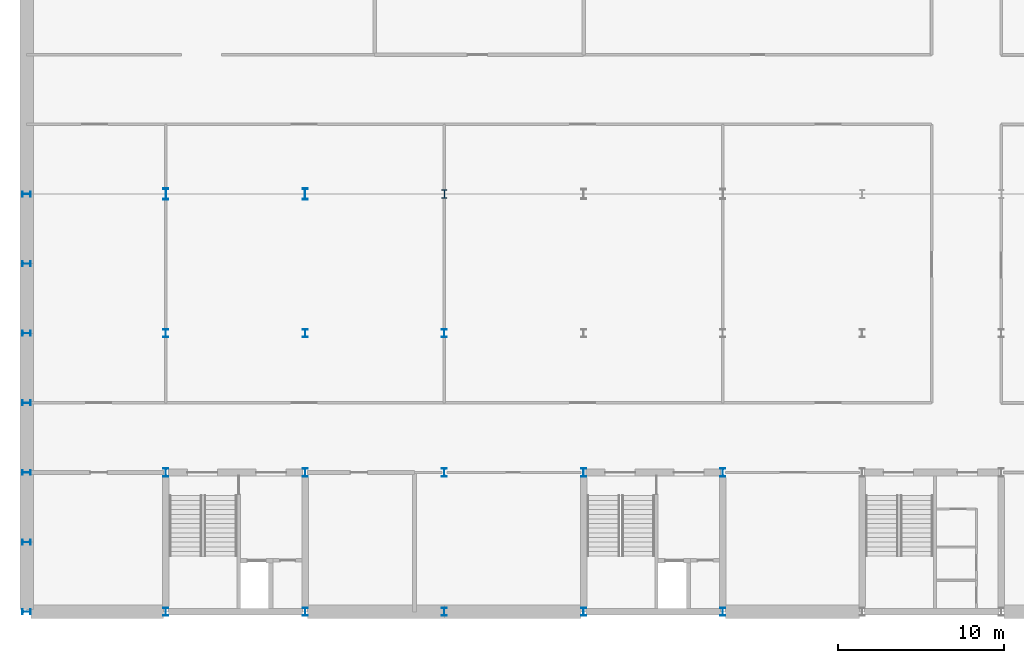
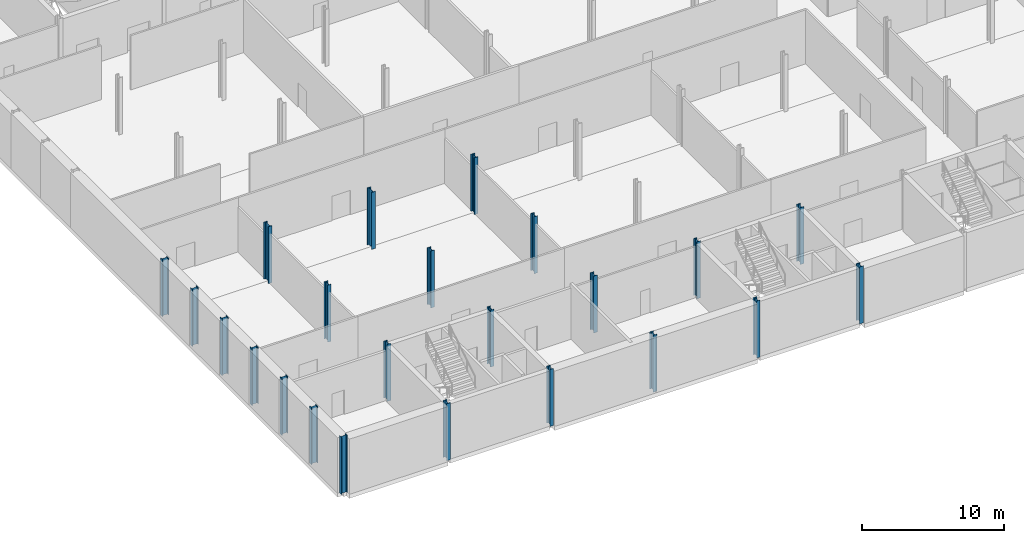
# One storey, part 1 of 20: 23 columns.
"""IFC4 building model written with IfcOpenShell, lengths in metres."""

from ifc_helpers import new_model, si_unit, direction, frame, origin, origin_2d, place, context, subcontext, project, spatial, i_section, extrude, material, material_profile, profile_set, type_object, element, save


model = new_model("IFC4")

# Units and contexts
model_context = context("Model", 3, precision=1e-05, world=origin(), true_north=direction((0.0, 1.0)))
body_context = subcontext(model_context, "Body", "Model", "MODEL_VIEW")
ifc_project = project(units=[si_unit("LENGTHUNIT", "METRE"), si_unit("AREAUNIT", "SQUARE_METRE"), si_unit("VOLUMEUNIT", "CUBIC_METRE"), si_unit("PLANEANGLEUNIT", "RADIAN"), si_unit("MASSUNIT", "GRAM", prefix="KILO")], contexts=[model_context])

# Site, building, storey
site_placement = place(None, origin())
site = spatial("IfcSite", under=ifc_project, at=site_placement, CompositionType="ELEMENT")
building_placement = place(site_placement, origin())
building = spatial("IfcBuilding", under=site, at=building_placement, Name="Galleria Vessillo Department Store", CompositionType="ELEMENT")
storey_placement = place(building_placement, frame((0.0, 0.0, -4.89990234375)))
storey = spatial("IfcBuildingStorey", under=building, at=storey_placement, Name="B1", CompositionType="ELEMENT", Elevation=-4.89990234375)

# Columns
ifc_material_1 = material(Name="Steel S355 J2", Category="steel")
ifc_material_profile_1 = material_profile(ifc_material_1, i_section(OverallWidth=0.300048828125, OverallDepth=0.5, WebThickness=0.014404296875, FlangeThickness=0.028076171875, FilletRadius=0.027099609375, at=origin_2d()), Name="HEB 500")
ifc_profile_set_1 = profile_set([ifc_material_profile_1], Name="Steel S355 J2")
column_type_1 = type_object("IfcColumnType", Name="Steel column HEB 500 CP1", PredefinedType="COLUMN", material=ifc_profile_set_1)
for number, where, z_axis, x_axis, name in (
    (1, (0.0, 0.0, 0.0), (0.0, 0.0, 1.0), (0.0, 1.0, 0.0), "S-COL-B1-1-A"),
    (2, (0.0, 4.199951171875, 0.0), (0.0, 0.0, 1.0), (0.0, 1.0, 0.0), "S-COL-B1-1-4.2"),
    (3, (0.0, 8.39990234375, 0.0), (0.0, 0.0, 1.0), (0.0, 1.0, 0.0), "S-COL-B1-1-B"),
    (4, (0.0, 12.60009765625, 0.0), (0.0, 0.0, 1.0), (0.0, 1.0, 0.0), "S-COL-B1-1-12.6"),
    (5, (0.0, 16.800048828125, 0.0), (0.0, 0.0, 1.0), (0.0, 1.0, 0.0), "S-COL-B1-1-C"),
    (6, (0.0, 21.0, 0.0), (0.0, 0.0, 1.0), (0.0, 1.0, 0.0), "S-COL-B1-1-21"),
    (7, (0.0, 25.199951171875, 0.0), (0.0, 0.0, 1.0), (0.0, 1.0, 0.0), "S-COL-B1-1-D"),
    (8, (8.39990234375, 0.0, 0.0), (0.0, 0.0, 1.0), (1.0, 0.0, 0.0), "S-COL-B1-2-A"),
    (9, (8.39990234375, 8.39990234375, 0.0), (0.0, 0.0, 1.0), (1.0, 0.0, 0.0), "S-COL-B1-2-B"),
    (10, (8.39990234375, 16.800048828125, 0.0), (0.0, 0.0, 1.0), (1.0, 0.0, 0.0), "S-COL-B1-2-C"),
    (11, (16.800048828125, 0.0, 0.0), (0.0, 0.0, 1.0), (1.0, 0.0, 0.0), "S-COL-B1-3-A"),
    (12, (16.800048828125, 8.39990234375, 0.0), (0.0, 0.0, 1.0), (1.0, 0.0, 0.0), "S-COL-B1-3-B"),
    (13, (16.800048828125, 16.800048828125, 0.0), (0.0, 0.0, 1.0), (1.0, 0.0, 0.0), "S-COL-B1-3-C"),
    (14, (25.199951171875, 0.0, 0.0), (0.0, 0.0, 1.0), (1.0, 0.0, 0.0), "S-COL-B1-4-A"),
    (15, (25.199951171875, 8.39990234375, 0.0), (0.0, 0.0, 1.0), (1.0, 0.0, 0.0), "S-COL-B1-4-B"),
    (16, (25.199951171875, 16.800048828125, 0.0), (0.0, 0.0, 1.0), (1.0, 0.0, 0.0), "S-COL-B1-4-C"),
    (17, (33.60009765625, 0.0, 0.0), (0.0, 0.0, 1.0), (1.0, 0.0, 0.0), "S-COL-B1-5-A"),
    (18, (33.60009765625, 8.39990234375, 0.0), (0.0, 0.0, 1.0), (1.0, 0.0, 0.0), "S-COL-B1-5-B"),
    (19, (42.0, 0.0, 0.0), (0.0, 0.0, 1.0), (1.0, 0.0, 0.0), "S-COL-B1-6-A"),
    (20, (42.0, 8.39990234375, 0.0), (0.0, 0.0, 1.0), (1.0, 0.0, 0.0), "S-COL-B1-6-B"),
):
    element("IfcColumn", number, at=place(storey_placement, frame(where, z_axis=z_axis, x_axis=x_axis)), inside=storey, type_object=column_type_1, Name=name, PredefinedType="COLUMN", context=body_context, shape_type="SweptSolid", body=[
        extrude(i_section(OverallWidth=0.300048828125, OverallDepth=0.5, WebThickness=0.014404296875, FlangeThickness=0.028076171875, FilletRadius=0.027099609375, at=origin_2d()), origin(), (0.0, 0.0, 1.0), 4.89990234375),
    ])
ifc_material_2 = material(Name="Steel S355 J2", Category="steel")
ifc_material_profile_2 = material_profile(ifc_material_2, i_section(OverallWidth=0.305908203125, OverallDepth=0.52392578125, WebThickness=0.02099609375, FlangeThickness=0.0400390625, FilletRadius=0.027099609375, at=origin_2d()), Name="HEM 500")
ifc_profile_set_2 = profile_set([ifc_material_profile_2], Name="Steel S355 J2")
column_type_2 = type_object("IfcColumnType", Name="Steel column HEM 500 CV1", PredefinedType="COLUMN", material=ifc_profile_set_2)
column_placement = place(storey_placement, frame((25.199951171875, 25.199951171875, 0.0), z_axis=(0.0, 0.0, 1.0), x_axis=(1.0, 0.0, 0.0)))
element("IfcColumn", 21, at=column_placement, inside=storey, type_object=column_type_2, Name="S-COL-B1-4-D", PredefinedType="COLUMN", context=body_context, shape_type="SweptSolid", body=[
    extrude(i_section(OverallWidth=0.305908203125, OverallDepth=0.52392578125, WebThickness=0.02099609375, FlangeThickness=0.0400390625, FilletRadius=0.027099609375, at=origin_2d()), origin(), (0.0, 0.0, 1.0), 4.89990234375),
])
ifc_material_3 = material(Name="Steel S355 J2", Category="steel")
ifc_material_profile_3 = material_profile(ifc_material_3, i_section(OverallWidth=0.304931640625, OverallDepth=0.66796875, WebThickness=0.02099609375, FlangeThickness=0.0400390625, FilletRadius=0.027099609375, at=origin_2d()), Name="HEM 650")
ifc_profile_set_3 = profile_set([ifc_material_profile_3], Name="Steel S355 J2")
column_type_3 = type_object("IfcColumnType", Name="Steel column HEM 650 CV3", PredefinedType="COLUMN", material=ifc_profile_set_3)
for number, where, z_axis, x_axis, name in (
    (22, (8.39990234375, 25.199951171875, 0.0), (0.0, 0.0, 1.0), (1.0, 0.0, 0.0), "S-COL-B1-2-D"),
    (23, (16.800048828125, 25.199951171875, 0.0), (0.0, 0.0, 1.0), (1.0, 0.0, 0.0), "S-COL-B1-3-D"),
):
    element("IfcColumn", number, at=place(storey_placement, frame(where, z_axis=z_axis, x_axis=x_axis)), inside=storey, type_object=column_type_3, Name=name, PredefinedType="COLUMN", context=body_context, shape_type="SweptSolid", body=[
        extrude(i_section(OverallWidth=0.304931640625, OverallDepth=0.66796875, WebThickness=0.02099609375, FlangeThickness=0.0400390625, FilletRadius=0.027099609375, at=origin_2d()), origin(), (0.0, 0.0, 1.0), 4.89990234375),
    ])

save(model, "model.ifc")
